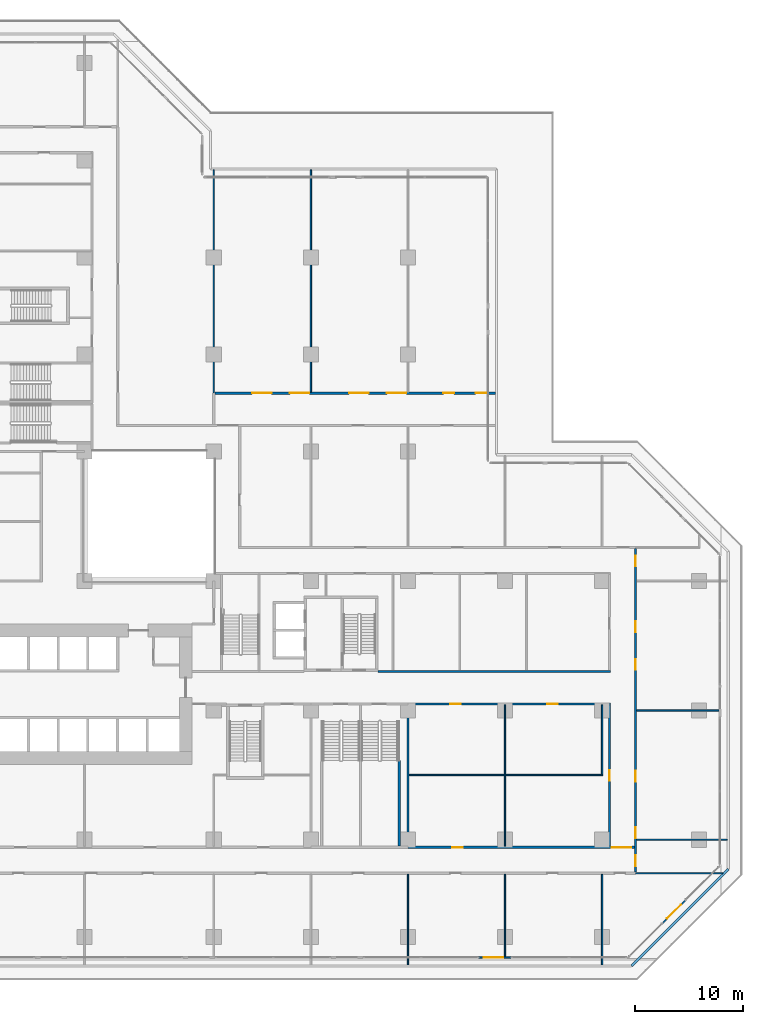
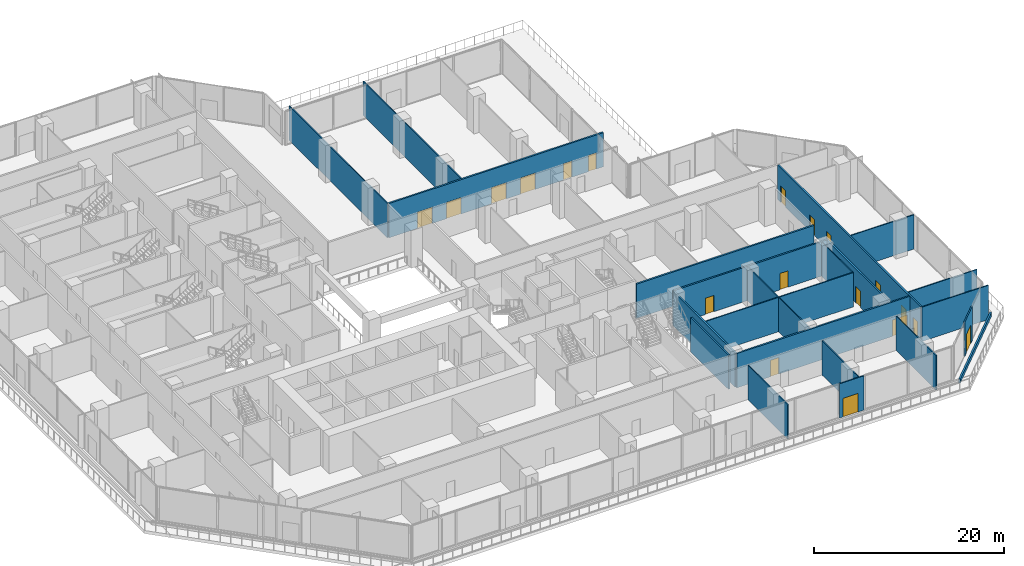
# One storey, part 19 of 31: 23 walls, 19 doors, 19 openings.
"""IFC4 building model written with IfcOpenShell, lengths in metres."""

from ifc_helpers import new_model, si_unit, direction, frame, frame_2d, origin, place, context, subcontext, project, spatial, rectangle, extrude, material, layer, layer_set, type_object, element, fill, save


model = new_model("IFC4")

# Units and contexts
model_context = context("Model", 3, precision=1e-05, world=origin(), true_north=direction((0.0, 1.0)))
body_context = subcontext(model_context, "Body", "Model", "MODEL_VIEW")
ifc_project = project(units=[si_unit("LENGTHUNIT", "METRE"), si_unit("AREAUNIT", "SQUARE_METRE"), si_unit("VOLUMEUNIT", "CUBIC_METRE"), si_unit("PLANEANGLEUNIT", "RADIAN"), si_unit("MASSUNIT", "GRAM", prefix="KILO")], contexts=[model_context])

# Site, building, storey
site_placement = place(None, origin())
site = spatial("IfcSite", under=ifc_project, at=site_placement, CompositionType="ELEMENT")
building_placement = place(site_placement, origin())
building = spatial("IfcBuilding", under=site, at=building_placement, Name="Chenar Terraces", CompositionType="ELEMENT")
storey_placement = place(building_placement, frame((0.0, 0.0, 12.0)))
storey = spatial("IfcBuildingStorey", under=building, at=storey_placement, Name="L02", CompositionType="ELEMENT", Elevation=12.0)

# Walls
ifc_material_1 = material(Name="Gypsum board on steel studs with mineral wool", Category="steel")
ifc_layer_1 = layer(ifc_material_1, 0.125)
ifc_layer_set_1 = layer_set([ifc_layer_1], Name="Gypsum board on steel studs with mineral wool")
wall_type_1 = type_object("IfcWallType", Name="Acoustic partition 125", PredefinedType="PARTITIONING", material=ifc_layer_set_1)
wall_1_placement = place(storey_placement, frame((36.0, 41.39990234375, 0.0), z_axis=(0.0, 0.0, 1.0), x_axis=(0.0, 1.0, 0.0)))
element("IfcWall", 1, at=wall_1_placement, inside=storey, type_object=wall_type_1, Name="Partition L02-084", PredefinedType="PARTITIONING", context=body_context, shape_type="SweptSolid", body=[
    extrude(rectangle(XDim=20.7001953125, YDim=0.125, at=frame_2d((10.35009765625, 0.0))), origin(), (0.0, 0.0, 1.0), 4.39990234375),
])
wall_2_placement = place(storey_placement, frame((45.0, 41.5, 0.0), z_axis=(0.0, 0.0, 1.0), x_axis=(0.0, 1.0, 0.0)))
element("IfcWall", 2, at=wall_2_placement, inside=storey, type_object=wall_type_1, Name="Partition L02-099", PredefinedType="PARTITIONING", context=body_context, shape_type="SweptSolid", body=[
    extrude(rectangle(XDim=20.60009765625, YDim=0.125, at=frame_2d((10.300048828125, 0.0))), origin(), (0.0, 0.0, 1.0), 4.39990234375),
])
wall_3_placement = place(storey_placement, frame((54.0, -11.60009765625, 0.0), z_axis=(0.0, 0.0, 1.0), x_axis=(0.0, 1.0, 0.0)))
element("IfcWall", 3, at=wall_3_placement, inside=storey, type_object=wall_type_1, Name="Partition L02-104", PredefinedType="PARTITIONING", context=body_context, shape_type="SweptSolid", body=[
    extrude(rectangle(XDim=8.400146484375, YDim=0.125, at=frame_2d((4.2001953125, 0.0))), origin(), (0.0, 0.0, 1.0), 4.39990234375),
])
wall_4_placement = place(storey_placement, frame((54.10009765625, 6.0, 0.0), z_axis=(0.0, 0.0, 1.0), x_axis=(1.0, 0.0, 0.0)))
element("IfcWall", 4, at=wall_4_placement, inside=storey, type_object=wall_type_1, Name="Partition L02-110", PredefinedType="PARTITIONING", context=body_context, shape_type="SweptSolid", body=[
    extrude(rectangle(XDim=17.9619140625, YDim=0.125, at=frame_2d((8.98095703125, 0.0))), origin(), (0.0, 0.0, 1.0), 4.39990234375),
])
wall_5_placement = place(storey_placement, frame((63.0, -10.85107421875, 0.0), z_axis=(0.0, 0.0, 1.0), x_axis=(0.0, 1.0, 0.0)))
element("IfcWall", 5, at=wall_5_placement, inside=storey, type_object=wall_type_1, Name="Partition L02-112", PredefinedType="PARTITIONING", context=body_context, shape_type="SweptSolid", body=[
    extrude(rectangle(XDim=7.651123046875, YDim=0.125, at=frame_2d((3.82568359375, 0.0))), origin(), (0.0, 0.0, 1.0), 4.39990234375),
])
wall_6_placement = place(storey_placement, frame((63.0, -0.60009765625, 0.0), z_axis=(0.0, 0.0, 1.0), x_axis=(0.0, 1.0, 0.0)))
element("IfcWall", 6, at=wall_6_placement, inside=storey, type_object=wall_type_1, Name="Partition L02-113", PredefinedType="PARTITIONING", context=body_context, shape_type="SweptSolid", body=[
    extrude(rectangle(XDim=6.5380859375, YDim=0.125, at=frame_2d((3.26904296875, 0.0))), origin(), (0.0, 0.0, 1.0), 4.39990234375),
])
wall_7_placement = place(storey_placement, frame((63.0, 6.06201171875, 0.0), z_axis=(0.0, 0.0, 1.0), x_axis=(0.0, 1.0, 0.0)))
element("IfcWall", 7, at=wall_7_placement, inside=storey, type_object=wall_type_1, Name="Partition L02-114", PredefinedType="PARTITIONING", context=body_context, shape_type="SweptSolid", body=[
    extrude(rectangle(XDim=6.43798828125, YDim=0.125, at=frame_2d((3.218994140625, 0.0))), origin(), (0.0, 0.0, 1.0), 4.39990234375),
])
wall_8_placement = place(storey_placement, frame((72.0, -11.60009765625, 0.0), z_axis=(0.0, 0.0, 1.0), x_axis=(0.0, 1.0, 0.0)))
element("IfcWall", 8, at=wall_8_placement, inside=storey, type_object=wall_type_1, Name="Partition L02-117", PredefinedType="PARTITIONING", context=body_context, shape_type="SweptSolid", body=[
    extrude(rectangle(XDim=8.400146484375, YDim=0.125, at=frame_2d((4.2001953125, 0.0))), origin(), (0.0, 0.0, 1.0), 4.39990234375),
])
wall_9_placement = place(storey_placement, frame((72.0, 6.06201171875, 0.0), z_axis=(0.0, 0.0, 1.0), x_axis=(0.0, 1.0, 0.0)))
element("IfcWall", 9, at=wall_9_placement, inside=storey, type_object=wall_type_1, Name="Partition L02-118", PredefinedType="PARTITIONING", context=body_context, shape_type="SweptSolid", body=[
    extrude(rectangle(XDim=6.43798828125, YDim=0.125, at=frame_2d((3.218994140625, 0.0))), origin(), (0.0, 0.0, 1.0), 4.39990234375),
])
wall_10_placement = place(storey_placement, frame((75.10009765625, -3.10009765625, 0.0), z_axis=(0.0, 0.0, 1.0), x_axis=(1.0, 0.0, 0.0)))
element("IfcWall", 10, at=wall_10_placement, inside=storey, type_object=wall_type_1, Name="Partition L02-122", PredefinedType="PARTITIONING", context=body_context, shape_type="SweptSolid", body=[
    extrude(rectangle(XDim=8.08349609375, YDim=0.125, at=frame_2d((4.041748046875, 0.0))), origin(), (0.0, 0.0, 1.0), 4.39990234375),
])
wall_11_placement = place(storey_placement, frame((75.199951171875, 0.0, 0.0), z_axis=(0.0, 0.0, 1.0), x_axis=(1.0, 0.0, 0.0)))
element("IfcWall", 11, at=wall_11_placement, inside=storey, type_object=wall_type_1, Name="Partition L02-125", PredefinedType="PARTITIONING", context=body_context, shape_type="SweptSolid", body=[
    extrude(rectangle(XDim=8.400146484375, YDim=0.125, at=frame_2d((4.2001953125, 0.0))), origin(), (0.0, 0.0, 1.0), 4.39990234375),
])
wall_12_placement = place(storey_placement, frame((75.199951171875, 12.0, 0.0), z_axis=(0.0, 0.0, 1.0), x_axis=(1.0, 0.0, 0.0)))
element("IfcWall", 12, at=wall_12_placement, inside=storey, type_object=wall_type_1, Name="Partition L02-126", PredefinedType="PARTITIONING", context=body_context, shape_type="SweptSolid", body=[
    extrude(rectangle(XDim=7.651123046875, YDim=0.125, at=frame_2d((3.82568359375, 0.0))), origin(), (0.0, 0.0, 1.0), 4.39990234375),
])

# Wall, openings, doors
ifc_material_2 = material(Name="Gypsum board on steel studs with fire boards", Category="steel")
ifc_layer_2 = layer(ifc_material_2, 0.199951171875)
ifc_layer_set_2 = layer_set([ifc_layer_2], Name="Gypsum board on steel studs with fire boards")
wall_type_2 = type_object("IfcWallType", Name="Corridor wall 200", PredefinedType="PARTITIONING", material=ifc_layer_set_2)
wall_13_placement = place(storey_placement, frame((36.10009765625, 41.39990234375, 0.0), z_axis=(0.0, 0.0, 1.0), x_axis=(1.0, 0.0, 0.0)))
wall_13 = element("IfcWall", 13, at=wall_13_placement, inside=storey, type_object=wall_type_2, Name="Partition L02-086", PredefinedType="PARTITIONING", context=body_context, shape_type="SweptSolid", body=[
    extrude(rectangle(XDim=26.0, YDim=0.199951171875, at=frame_2d((13.0, 0.0))), origin(), (0.0, 0.0, 1.0), 4.39990234375),
])
opening_1_placement = place(wall_13_placement, frame((3.449951171875, 0.0, 0.0)))
opening_1 = element("IfcOpeningElement", 14, at=opening_1_placement, cuts=wall_13, Name="Opening DL02-18", PredefinedType="OPENING", context=body_context, shape_type="SweptSolid", body=[
    extrude(rectangle(XDim=1.800048828125, YDim=2.10009765625, at=frame_2d((0.89990234375, 1.050048828125))), frame((0.0, 0.10986328125, 0.0), z_axis=(0.0, -1.0, 0.0), x_axis=(1.0, 0.0, 0.0)), (0.0, 0.0, 1.0), 0.219970703125),
])
opening_2_placement = place(wall_13_placement, frame((6.949951171875, 0.0, 0.0)))
opening_2 = element("IfcOpeningElement", 15, at=opening_2_placement, cuts=wall_13, Name="Opening DL02-19", PredefinedType="OPENING", context=body_context, shape_type="SweptSolid", body=[
    extrude(rectangle(XDim=1.800048828125, YDim=2.10009765625, at=frame_2d((0.89990234375, 1.050048828125))), frame((0.0, 0.10986328125, 0.0), z_axis=(0.0, -1.0, 0.0), x_axis=(1.0, 0.0, 0.0)), (0.0, 0.0, 1.0), 0.219970703125),
])
opening_3_placement = place(wall_13_placement, frame((12.449951171875, 0.0, 0.0)))
opening_3 = element("IfcOpeningElement", 16, at=opening_3_placement, cuts=wall_13, Name="Opening DL02-20", PredefinedType="OPENING", context=body_context, shape_type="SweptSolid", body=[
    extrude(rectangle(XDim=1.800048828125, YDim=2.10009765625, at=frame_2d((0.89990234375, 1.050048828125))), frame((0.0, 0.10986328125, 0.0), z_axis=(0.0, -1.0, 0.0), x_axis=(1.0, 0.0, 0.0)), (0.0, 0.0, 1.0), 0.219970703125),
])
opening_4_placement = place(wall_13_placement, frame((15.949951171875, 0.0, 0.0)))
opening_4 = element("IfcOpeningElement", 17, at=opening_4_placement, cuts=wall_13, Name="Opening DL02-21", PredefinedType="OPENING", context=body_context, shape_type="SweptSolid", body=[
    extrude(rectangle(XDim=1.800048828125, YDim=2.10009765625, at=frame_2d((0.89990234375, 1.050048828125))), frame((0.0, 0.10986328125, 0.0), z_axis=(0.0, -1.0, 0.0), x_axis=(1.0, 0.0, 0.0)), (0.0, 0.0, 1.0), 0.219970703125),
])
opening_5_placement = place(wall_13_placement, frame((21.175048828125, 0.0, 0.0)))
opening_5 = element("IfcOpeningElement", 18, at=opening_5_placement, cuts=wall_13, Name="Opening DL02-22", PredefinedType="OPENING", context=body_context, shape_type="SweptSolid", body=[
    extrude(rectangle(XDim=1.0, YDim=2.10009765625, at=frame_2d((0.5, 1.050048828125))), frame((0.0, 0.10986328125, 0.0), z_axis=(0.0, -1.0, 0.0), x_axis=(1.0, 0.0, 0.0)), (0.0, 0.0, 1.0), 0.219970703125),
])
opening_6_placement = place(wall_13_placement, frame((24.175048828125, 0.0, 0.0)))
opening_6 = element("IfcOpeningElement", 19, at=opening_6_placement, cuts=wall_13, Name="Opening DL02-23", PredefinedType="OPENING", context=body_context, shape_type="SweptSolid", body=[
    extrude(rectangle(XDim=1.0, YDim=2.10009765625, at=frame_2d((0.5, 1.050048828125))), frame((0.0, 0.10986328125, 0.0), z_axis=(0.0, -1.0, 0.0), x_axis=(1.0, 0.0, 0.0)), (0.0, 0.0, 1.0), 0.219970703125),
])
ifc_material_3 = material(Name="Steel-framed fire-resisting door leaf", Category="steel")
door_type_1 = type_object("IfcDoorType", Name="Fire door FD60 1000 x 2100", OperationType="SINGLE_SWING_LEFT", PredefinedType="DOOR", material=ifc_material_3)
door_1_placement = place(opening_5_placement, origin())
door_1 = element("IfcDoor", 20, at=door_1_placement, inside=storey, type_object=door_type_1, Name="Door DL02-22", OperationType="SINGLE_SWING_RIGHT", OverallHeight=2.10009765625, OverallWidth=1.0, PredefinedType="DOOR", context=body_context, shape_type="SweptSolid", body=[
    extrude(rectangle(XDim=1.0, YDim=2.10009765625, at=frame_2d((0.5, 1.050048828125))), frame((0.0, 0.02490234375, 0.0), z_axis=(0.0, -1.0, 0.0), x_axis=(1.0, 0.0, 0.0)), (0.0, 0.0, 1.0), 0.050048828125),
])
fill(opening_5, door_1)
door_2_placement = place(opening_6_placement, origin())
door_2 = element("IfcDoor", 21, at=door_2_placement, inside=storey, type_object=door_type_1, Name="Door DL02-23", OperationType="SINGLE_SWING_RIGHT", OverallHeight=2.10009765625, OverallWidth=1.0, PredefinedType="DOOR", context=body_context, shape_type="SweptSolid", body=[
    extrude(rectangle(XDim=1.0, YDim=2.10009765625, at=frame_2d((0.5, 1.050048828125))), frame((0.0, 0.02490234375, 0.0), z_axis=(0.0, -1.0, 0.0), x_axis=(1.0, 0.0, 0.0)), (0.0, 0.0, 1.0), 0.050048828125),
])
fill(opening_6, door_2)
ifc_material_4 = material(Name="Steel-framed fire-resisting door leaf", Category="steel")
door_type_2 = type_object("IfcDoorType", Name="Fire double door FD60 1800 x 2100", OperationType="DOUBLE_DOOR_SINGLE_SWING", PredefinedType="DOOR", material=ifc_material_4)
door_3_placement = place(opening_1_placement, origin())
door_3 = element("IfcDoor", 22, at=door_3_placement, inside=storey, type_object=door_type_2, Name="Door DL02-18", OperationType="DOUBLE_DOOR_SINGLE_SWING", OverallHeight=2.10009765625, OverallWidth=1.800048828125, PredefinedType="DOOR", context=body_context, shape_type="SweptSolid", body=[
    extrude(rectangle(XDim=1.800048828125, YDim=2.10009765625, at=frame_2d((0.89990234375, 1.050048828125))), frame((0.0, 0.02490234375, 0.0), z_axis=(0.0, -1.0, 0.0), x_axis=(1.0, 0.0, 0.0)), (0.0, 0.0, 1.0), 0.050048828125),
])
fill(opening_1, door_3)
door_4_placement = place(opening_2_placement, origin())
door_4 = element("IfcDoor", 23, at=door_4_placement, inside=storey, type_object=door_type_2, Name="Door DL02-19", OperationType="DOUBLE_DOOR_SINGLE_SWING", OverallHeight=2.10009765625, OverallWidth=1.800048828125, PredefinedType="DOOR", context=body_context, shape_type="SweptSolid", body=[
    extrude(rectangle(XDim=1.800048828125, YDim=2.10009765625, at=frame_2d((0.89990234375, 1.050048828125))), frame((0.0, 0.02490234375, 0.0), z_axis=(0.0, -1.0, 0.0), x_axis=(1.0, 0.0, 0.0)), (0.0, 0.0, 1.0), 0.050048828125),
])
fill(opening_2, door_4)
door_5_placement = place(opening_3_placement, origin())
door_5 = element("IfcDoor", 24, at=door_5_placement, inside=storey, type_object=door_type_2, Name="Door DL02-20", OperationType="DOUBLE_DOOR_SINGLE_SWING", OverallHeight=2.10009765625, OverallWidth=1.800048828125, PredefinedType="DOOR", context=body_context, shape_type="SweptSolid", body=[
    extrude(rectangle(XDim=1.800048828125, YDim=2.10009765625, at=frame_2d((0.89990234375, 1.050048828125))), frame((0.0, 0.02490234375, 0.0), z_axis=(0.0, -1.0, 0.0), x_axis=(1.0, 0.0, 0.0)), (0.0, 0.0, 1.0), 0.050048828125),
])
fill(opening_3, door_5)
door_6_placement = place(opening_4_placement, origin())
door_6 = element("IfcDoor", 25, at=door_6_placement, inside=storey, type_object=door_type_2, Name="Door DL02-21", OperationType="DOUBLE_DOOR_SINGLE_SWING", OverallHeight=2.10009765625, OverallWidth=1.800048828125, PredefinedType="DOOR", context=body_context, shape_type="SweptSolid", body=[
    extrude(rectangle(XDim=1.800048828125, YDim=2.10009765625, at=frame_2d((0.89990234375, 1.050048828125))), frame((0.0, 0.02490234375, 0.0), z_axis=(0.0, -1.0, 0.0), x_axis=(1.0, 0.0, 0.0)), (0.0, 0.0, 1.0), 0.050048828125),
])
fill(opening_4, door_6)

# Wall
wall_14_placement = place(storey_placement, frame((51.22509765625, 15.60009765625, 0.0), z_axis=(0.0, 0.0, 1.0), x_axis=(1.0, 0.0, 0.0)))
element("IfcWall", 26, at=wall_14_placement, inside=storey, type_object=wall_type_2, Name="Partition L02-102", PredefinedType="PARTITIONING", context=body_context, shape_type="SweptSolid", body=[
    extrude(rectangle(XDim=21.574951171875, YDim=0.199951171875, at=frame_2d((10.78759765625, 0.0))), origin(), (0.0, 0.0, 1.0), 4.39990234375),
])

# Wall, openings, doors
wall_15_placement = place(storey_placement, frame((54.0, -0.699951171875, 0.0), z_axis=(0.0, 0.0, 1.0), x_axis=(1.0, 0.0, 0.0)))
wall_15 = element("IfcWall", 27, at=wall_15_placement, inside=storey, type_object=wall_type_2, Name="Partition L02-105", PredefinedType="PARTITIONING", context=body_context, shape_type="SweptSolid", body=[
    extrude(rectangle(XDim=21.0, YDim=0.199951171875, at=frame_2d((10.5, 0.0))), origin(), (0.0, 0.0, 1.0), 4.39990234375),
])
opening_7_placement = place(wall_15_placement, frame((4.10009765625, 0.0, 0.0)))
opening_7 = element("IfcOpeningElement", 28, at=opening_7_placement, cuts=wall_15, Name="Opening DL02-10", PredefinedType="OPENING", context=body_context, shape_type="SweptSolid", body=[
    extrude(rectangle(XDim=1.0, YDim=2.10009765625, at=frame_2d((0.5, 1.050048828125))), frame((0.0, 0.10986328125, 0.0), z_axis=(0.0, -1.0, 0.0), x_axis=(1.0, 0.0, 0.0)), (0.0, 0.0, 1.0), 0.219970703125),
])
opening_8_placement = place(wall_15_placement, frame((18.89990234375, 0.0, 0.0)))
opening_8 = element("IfcOpeningElement", 29, at=opening_8_placement, cuts=wall_15, Name="Opening DL02-39", PredefinedType="OPENING", context=body_context, shape_type="SweptSolid", body=[
    extrude(rectangle(XDim=1.800048828125, YDim=2.10009765625, at=frame_2d((0.89990234375, 1.050048828125))), frame((0.0, 0.10986328125, 0.0), z_axis=(0.0, -1.0, 0.0), x_axis=(1.0, 0.0, 0.0)), (0.0, 0.0, 1.0), 0.219970703125),
])
door_7_placement = place(opening_7_placement, origin())
door_7 = element("IfcDoor", 30, at=door_7_placement, inside=storey, type_object=door_type_1, Name="Door DL02-10", OperationType="SINGLE_SWING_LEFT", OverallHeight=2.10009765625, OverallWidth=1.0, PredefinedType="DOOR", context=body_context, shape_type="SweptSolid", body=[
    extrude(rectangle(XDim=1.0, YDim=2.10009765625, at=frame_2d((0.5, 1.050048828125))), frame((0.0, 0.02490234375, 0.0), z_axis=(0.0, -1.0, 0.0), x_axis=(1.0, 0.0, 0.0)), (0.0, 0.0, 1.0), 0.050048828125),
])
fill(opening_7, door_7)
door_8_placement = place(opening_8_placement, frame((1.800048828125, 0.0, 0.0), z_axis=(0.0, 0.0, 1.0), x_axis=(-1.0, 0.0, 0.0)))
door_8 = element("IfcDoor", 31, at=door_8_placement, inside=storey, type_object=door_type_2, Name="Door DL02-39", OperationType="DOUBLE_DOOR_SINGLE_SWING", OverallHeight=2.10009765625, OverallWidth=1.800048828125, PredefinedType="DOOR", context=body_context, shape_type="SweptSolid", body=[
    extrude(rectangle(XDim=1.800048828125, YDim=2.10009765625, at=frame_2d((0.89990234375, 1.050048828125))), frame((0.0, 0.02490234375, 0.0), z_axis=(0.0, -1.0, 0.0), x_axis=(1.0, 0.0, 0.0)), (0.0, 0.0, 1.0), 0.050048828125),
])
fill(opening_8, door_8)

wall_16_placement = place(storey_placement, frame((54.0, 12.60009765625, 0.0), z_axis=(0.0, 0.0, 1.0), x_axis=(1.0, 0.0, 0.0)))
wall_16 = element("IfcWall", 32, at=wall_16_placement, inside=storey, type_object=wall_type_2, Name="Partition L02-107", PredefinedType="PARTITIONING", context=body_context, shape_type="SweptSolid", body=[
    extrude(rectangle(XDim=18.800048828125, YDim=0.199951171875, at=frame_2d((9.39990234375, 0.0))), origin(), (0.0, 0.0, 1.0), 4.39990234375),
])
opening_9_placement = place(wall_16_placement, frame((3.89990234375, 0.0, 0.0)))
opening_9 = element("IfcOpeningElement", 33, at=opening_9_placement, cuts=wall_16, Name="Opening DL02-2", PredefinedType="OPENING", context=body_context, shape_type="SweptSolid", body=[
    extrude(rectangle(XDim=1.0, YDim=2.10009765625, at=frame_2d((0.5, 1.050048828125))), frame((0.0, 0.10986328125, 0.0), z_axis=(0.0, -1.0, 0.0), x_axis=(1.0, 0.0, 0.0)), (0.0, 0.0, 1.0), 0.219970703125),
])
opening_10_placement = place(wall_16_placement, frame((12.89990234375, 0.0, 0.0)))
opening_10 = element("IfcOpeningElement", 34, at=opening_10_placement, cuts=wall_16, Name="Opening DL02-3", PredefinedType="OPENING", context=body_context, shape_type="SweptSolid", body=[
    extrude(rectangle(XDim=1.0, YDim=2.10009765625, at=frame_2d((0.5, 1.050048828125))), frame((0.0, 0.10986328125, 0.0), z_axis=(0.0, -1.0, 0.0), x_axis=(1.0, 0.0, 0.0)), (0.0, 0.0, 1.0), 0.219970703125),
])
door_9_placement = place(opening_9_placement, frame((1.0, 0.0, 0.0), z_axis=(0.0, 0.0, 1.0), x_axis=(-1.0, 0.0, 0.0)))
door_9 = element("IfcDoor", 35, at=door_9_placement, inside=storey, type_object=door_type_1, Name="Door DL02-2", OperationType="SINGLE_SWING_RIGHT", OverallHeight=2.10009765625, OverallWidth=1.0, PredefinedType="DOOR", context=body_context, shape_type="SweptSolid", body=[
    extrude(rectangle(XDim=1.0, YDim=2.10009765625, at=frame_2d((0.5, 1.050048828125))), frame((0.0, 0.02490234375, 0.0), z_axis=(0.0, -1.0, 0.0), x_axis=(1.0, 0.0, 0.0)), (0.0, 0.0, 1.0), 0.050048828125),
])
fill(opening_9, door_9)
door_10_placement = place(opening_10_placement, frame((1.0, 0.0, 0.0), z_axis=(0.0, 0.0, 1.0), x_axis=(-1.0, 0.0, 0.0)))
door_10 = element("IfcDoor", 36, at=door_10_placement, inside=storey, type_object=door_type_1, Name="Door DL02-3", OperationType="SINGLE_SWING_RIGHT", OverallHeight=2.10009765625, OverallWidth=1.0, PredefinedType="DOOR", context=body_context, shape_type="SweptSolid", body=[
    extrude(rectangle(XDim=1.0, YDim=2.10009765625, at=frame_2d((0.5, 1.050048828125))), frame((0.0, 0.02490234375, 0.0), z_axis=(0.0, -1.0, 0.0), x_axis=(1.0, 0.0, 0.0)), (0.0, 0.0, 1.0), 0.050048828125),
])
fill(opening_10, door_10)

# Wall, opening, door
wall_17_placement = place(storey_placement, frame((72.699951171875, -0.60009765625, 0.0), z_axis=(0.0, 0.0, 1.0), x_axis=(0.0, 1.0, 0.0)))
wall_17 = element("IfcWall", 37, at=wall_17_placement, inside=storey, type_object=wall_type_2, Name="Partition L02-120", PredefinedType="PARTITIONING", context=body_context, shape_type="SweptSolid", body=[
    extrude(rectangle(XDim=13.10009765625, YDim=0.199951171875, at=frame_2d((6.550048828125, 0.0))), origin(), (0.0, 0.0, 1.0), 4.39990234375),
])
opening_11_placement = place(wall_17_placement, frame((6.050048828125, 0.0, 0.0)))
opening_11 = element("IfcOpeningElement", 38, at=opening_11_placement, cuts=wall_17, Name="Opening DL02-11", PredefinedType="OPENING", context=body_context, shape_type="SweptSolid", body=[
    extrude(rectangle(XDim=1.0, YDim=2.10009765625, at=frame_2d((0.5, 1.050048828125))), frame((0.0, 0.10986328125, 0.0), z_axis=(0.0, -1.0, 0.0), x_axis=(1.0, 0.0, 0.0)), (0.0, 0.0, 1.0), 0.219970703125),
])
door_11_placement = place(opening_11_placement, frame((1.0, 0.0, 0.0), z_axis=(0.0, 0.0, 1.0), x_axis=(-1.0, 0.0, 0.0)))
door_11 = element("IfcDoor", 39, at=door_11_placement, inside=storey, type_object=door_type_1, Name="Door DL02-11", OperationType="SINGLE_SWING_LEFT", OverallHeight=2.10009765625, OverallWidth=1.0, PredefinedType="DOOR", context=body_context, shape_type="SweptSolid", body=[
    extrude(rectangle(XDim=1.0, YDim=2.10009765625, at=frame_2d((0.5, 1.050048828125))), frame((0.0, 0.02490234375, 0.0), z_axis=(0.0, -1.0, 0.0), x_axis=(1.0, 0.0, 0.0)), (0.0, 0.0, 1.0), 0.050048828125),
])
fill(opening_11, door_11)

# Wall, openings, doors
wall_18_placement = place(storey_placement, frame((75.10009765625, -3.0, 0.0), z_axis=(0.0, 0.0, 1.0), x_axis=(0.0, 1.0, 0.0)))
wall_18 = element("IfcWall", 40, at=wall_18_placement, inside=storey, type_object=wall_type_2, Name="Partition L02-123", PredefinedType="PARTITIONING", context=body_context, shape_type="SweptSolid", body=[
    extrude(rectangle(XDim=30.0, YDim=0.199951171875, at=frame_2d((15.0, 0.0))), origin(), (0.0, 0.0, 1.0), 4.39990234375),
])
opening_12_placement = place(wall_18_placement, frame((0.550048828125, 0.0, 0.0)))
opening_12 = element("IfcOpeningElement", 41, at=opening_12_placement, cuts=wall_18, Name="Opening DL02-48", PredefinedType="OPENING", context=body_context, shape_type="SweptSolid", body=[
    extrude(rectangle(XDim=1.0, YDim=2.10009765625, at=frame_2d((0.5, 1.050048828125))), frame((0.0, 0.10986328125, 0.0), z_axis=(0.0, -1.0, 0.0), x_axis=(1.0, 0.0, 0.0)), (0.0, 0.0, 1.0), 0.219970703125),
])
opening_13_placement = place(wall_18_placement, frame((8.39990234375, 0.0, 0.0)))
opening_13 = element("IfcOpeningElement", 42, at=opening_13_placement, cuts=wall_18, Name="Opening DL02-49", PredefinedType="OPENING", context=body_context, shape_type="SweptSolid", body=[
    extrude(rectangle(XDim=1.0, YDim=2.10009765625, at=frame_2d((0.5, 1.050048828125))), frame((0.0, 0.10986328125, 0.0), z_axis=(0.0, -1.0, 0.0), x_axis=(1.0, 0.0, 0.0)), (0.0, 0.0, 1.0), 0.219970703125),
])
opening_14_placement = place(wall_18_placement, frame((3.14990234375, 0.0, 0.0)))
opening_14 = element("IfcOpeningElement", 43, at=opening_14_placement, cuts=wall_18, Name="Opening DL02-50", PredefinedType="OPENING", context=body_context, shape_type="SweptSolid", body=[
    extrude(rectangle(XDim=1.0, YDim=2.10009765625, at=frame_2d((0.5, 1.050048828125))), frame((0.0, 0.10986328125, 0.0), z_axis=(0.0, -1.0, 0.0), x_axis=(1.0, 0.0, 0.0)), (0.0, 0.0, 1.0), 0.219970703125),
])
opening_15_placement = place(wall_18_placement, frame((22.25, 0.0, 0.0)))
opening_15 = element("IfcOpeningElement", 44, at=opening_15_placement, cuts=wall_18, Name="Opening DL02-51", PredefinedType="OPENING", context=body_context, shape_type="SweptSolid", body=[
    extrude(rectangle(XDim=1.0, YDim=2.10009765625, at=frame_2d((0.5, 1.050048828125))), frame((0.0, 0.10986328125, 0.0), z_axis=(0.0, -1.0, 0.0), x_axis=(1.0, 0.0, 0.0)), (0.0, 0.0, 1.0), 0.219970703125),
])
opening_16_placement = place(wall_18_placement, frame((18.75, 0.0, 0.0)))
opening_16 = element("IfcOpeningElement", 45, at=opening_16_placement, cuts=wall_18, Name="Opening DL02-52", PredefinedType="OPENING", context=body_context, shape_type="SweptSolid", body=[
    extrude(rectangle(XDim=1.0, YDim=2.10009765625, at=frame_2d((0.5, 1.050048828125))), frame((0.0, 0.10986328125, 0.0), z_axis=(0.0, -1.0, 0.0), x_axis=(1.0, 0.0, 0.0)), (0.0, 0.0, 1.0), 0.219970703125),
])
opening_17_placement = place(wall_18_placement, frame((28.35009765625, 0.0, 0.0)))
opening_17 = element("IfcOpeningElement", 46, at=opening_17_placement, cuts=wall_18, Name="Opening DL02-53", PredefinedType="OPENING", context=body_context, shape_type="SweptSolid", body=[
    extrude(rectangle(XDim=1.0, YDim=2.10009765625, at=frame_2d((0.5, 1.050048828125))), frame((0.0, 0.10986328125, 0.0), z_axis=(0.0, -1.0, 0.0), x_axis=(1.0, 0.0, 0.0)), (0.0, 0.0, 1.0), 0.219970703125),
])
door_12_placement = place(opening_12_placement, frame((1.0, 0.0, 0.0), z_axis=(0.0, 0.0, 1.0), x_axis=(-1.0, 0.0, 0.0)))
door_12 = element("IfcDoor", 47, at=door_12_placement, inside=storey, type_object=door_type_1, Name="Door DL02-48", OperationType="SINGLE_SWING_RIGHT", OverallHeight=2.10009765625, OverallWidth=1.0, PredefinedType="DOOR", context=body_context, shape_type="SweptSolid", body=[
    extrude(rectangle(XDim=1.0, YDim=2.10009765625, at=frame_2d((0.5, 1.050048828125))), frame((0.0, 0.02490234375, 0.0), z_axis=(0.0, -1.0, 0.0), x_axis=(1.0, 0.0, 0.0)), (0.0, 0.0, 1.0), 0.050048828125),
])
fill(opening_12, door_12)
door_13_placement = place(opening_13_placement, frame((1.0, 0.0, 0.0), z_axis=(0.0, 0.0, 1.0), x_axis=(-1.0, 0.0, 0.0)))
door_13 = element("IfcDoor", 48, at=door_13_placement, inside=storey, type_object=door_type_1, Name="Door DL02-49", OperationType="SINGLE_SWING_LEFT", OverallHeight=2.10009765625, OverallWidth=1.0, PredefinedType="DOOR", context=body_context, shape_type="SweptSolid", body=[
    extrude(rectangle(XDim=1.0, YDim=2.10009765625, at=frame_2d((0.5, 1.050048828125))), frame((0.0, 0.02490234375, 0.0), z_axis=(0.0, -1.0, 0.0), x_axis=(1.0, 0.0, 0.0)), (0.0, 0.0, 1.0), 0.050048828125),
])
fill(opening_13, door_13)
door_14_placement = place(opening_14_placement, frame((1.0, 0.0, 0.0), z_axis=(0.0, 0.0, 1.0), x_axis=(-1.0, 0.0, 0.0)))
door_14 = element("IfcDoor", 49, at=door_14_placement, inside=storey, type_object=door_type_1, Name="Door DL02-50", OperationType="SINGLE_SWING_RIGHT", OverallHeight=2.10009765625, OverallWidth=1.0, PredefinedType="DOOR", context=body_context, shape_type="SweptSolid", body=[
    extrude(rectangle(XDim=1.0, YDim=2.10009765625, at=frame_2d((0.5, 1.050048828125))), frame((0.0, 0.02490234375, 0.0), z_axis=(0.0, -1.0, 0.0), x_axis=(1.0, 0.0, 0.0)), (0.0, 0.0, 1.0), 0.050048828125),
])
fill(opening_14, door_14)
door_15_placement = place(opening_15_placement, frame((1.0, 0.0, 0.0), z_axis=(0.0, 0.0, 1.0), x_axis=(-1.0, 0.0, 0.0)))
door_15 = element("IfcDoor", 50, at=door_15_placement, inside=storey, type_object=door_type_1, Name="Door DL02-51", OperationType="SINGLE_SWING_LEFT", OverallHeight=2.10009765625, OverallWidth=1.0, PredefinedType="DOOR", context=body_context, shape_type="SweptSolid", body=[
    extrude(rectangle(XDim=1.0, YDim=2.10009765625, at=frame_2d((0.5, 1.050048828125))), frame((0.0, 0.02490234375, 0.0), z_axis=(0.0, -1.0, 0.0), x_axis=(1.0, 0.0, 0.0)), (0.0, 0.0, 1.0), 0.050048828125),
])
fill(opening_15, door_15)
door_16_placement = place(opening_16_placement, frame((1.0, 0.0, 0.0), z_axis=(0.0, 0.0, 1.0), x_axis=(-1.0, 0.0, 0.0)))
door_16 = element("IfcDoor", 51, at=door_16_placement, inside=storey, type_object=door_type_1, Name="Door DL02-52", OperationType="SINGLE_SWING_LEFT", OverallHeight=2.10009765625, OverallWidth=1.0, PredefinedType="DOOR", context=body_context, shape_type="SweptSolid", body=[
    extrude(rectangle(XDim=1.0, YDim=2.10009765625, at=frame_2d((0.5, 1.050048828125))), frame((0.0, 0.02490234375, 0.0), z_axis=(0.0, -1.0, 0.0), x_axis=(1.0, 0.0, 0.0)), (0.0, 0.0, 1.0), 0.050048828125),
])
fill(opening_16, door_16)
door_17_placement = place(opening_17_placement, frame((1.0, 0.0, 0.0), z_axis=(0.0, 0.0, 1.0), x_axis=(-1.0, 0.0, 0.0)))
door_17 = element("IfcDoor", 52, at=door_17_placement, inside=storey, type_object=door_type_1, Name="Door DL02-53", OperationType="SINGLE_SWING_LEFT", OverallHeight=2.10009765625, OverallWidth=1.0, PredefinedType="DOOR", context=body_context, shape_type="SweptSolid", body=[
    extrude(rectangle(XDim=1.0, YDim=2.10009765625, at=frame_2d((0.5, 1.050048828125))), frame((0.0, 0.02490234375, 0.0), z_axis=(0.0, -1.0, 0.0), x_axis=(1.0, 0.0, 0.0)), (0.0, 0.0, 1.0), 0.050048828125),
])
fill(opening_17, door_17)

# Wall, opening, door
ifc_material_5 = material(Name="Aluminium framed glazing", Category="aluminium")
ifc_layer_3 = layer(ifc_material_5, 0.14990234375)
ifc_layer_set_3 = layer_set([ifc_layer_3], Name="Aluminium framed glazing")
wall_type_3 = type_object("IfcWallType", Name="Podium glazed wall 150", PredefinedType="SOLIDWALL", material=ifc_layer_set_3)
wall_19_placement = place(storey_placement, frame((60.571044921875, -10.925048828125, 0.0), z_axis=(0.0, 0.0, 1.0), x_axis=(1.0, 0.0, 0.0)))
wall_19 = element("IfcWall", 53, at=wall_19_placement, inside=storey, type_object=wall_type_3, Name="Podium glazed wall", PredefinedType="SOLIDWALL", context=body_context, shape_type="SweptSolid", body=[
    extrude(rectangle(XDim=3.0, YDim=0.14990234375, at=frame_2d((1.5, 0.0))), origin(), (0.0, 0.0, 1.0), 4.39990234375),
])
opening_18_placement = place(wall_19_placement, frame((0.449951171875, 0.0, 0.0)))
opening_18 = element("IfcOpeningElement", 54, at=opening_18_placement, cuts=wall_19, Name="Opening DL02-T4", PredefinedType="OPENING", context=body_context, shape_type="SweptSolid", body=[
    extrude(rectangle(XDim=1.800048828125, YDim=2.39990234375, at=frame_2d((0.89990234375, 1.199951171875))), frame((0.0, 0.0849609375, 0.0), z_axis=(0.0, -1.0, 0.0), x_axis=(1.0, 0.0, 0.0)), (0.0, 0.0, 1.0), 0.169921875),
])
ifc_material_6 = material(Name="Low emissivity double glazing, aluminium frame", Category="aluminium")
door_type_3 = type_object("IfcDoorType", Name="Terrace glazed double door 1800 x 2400", OperationType="DOUBLE_DOOR_SINGLE_SWING", PredefinedType="DOOR", material=ifc_material_6)
door_18_placement = place(opening_18_placement, origin())
door_18 = element("IfcDoor", 55, at=door_18_placement, inside=storey, type_object=door_type_3, Name="Terrace glazed door", OperationType="DOUBLE_DOOR_SINGLE_SWING", OverallHeight=2.39990234375, OverallWidth=1.800048828125, PredefinedType="DOOR", context=body_context, shape_type="SweptSolid", body=[
    extrude(rectangle(XDim=1.800048828125, YDim=2.39990234375, at=frame_2d((0.89990234375, 1.199951171875))), frame((0.0, 0.02490234375, 0.0), z_axis=(0.0, -1.0, 0.0), x_axis=(1.0, 0.0, 0.0)), (0.0, 0.0, 1.0), 0.050048828125),
])
fill(opening_18, door_18)

wall_20_placement = place(storey_placement, frame((77.603759765625, -7.72509765625, 0.0), z_axis=(0.0, 0.0, 1.0), x_axis=(0.707106781187, 0.707106781187, 0.0)))
wall_20 = element("IfcWall", 56, at=wall_20_placement, inside=storey, type_object=wall_type_3, Name="Podium glazed wall", PredefinedType="SOLIDWALL", context=body_context, shape_type="SweptSolid", body=[
    extrude(rectangle(XDim=3.0, YDim=0.14990234375, at=frame_2d((1.5, 0.0))), origin(), (0.0, 0.0, 1.0), 4.39990234375),
])
opening_19_placement = place(wall_20_placement, frame((0.60009765625, 0.0, 0.0)))
opening_19 = element("IfcOpeningElement", 57, at=opening_19_placement, cuts=wall_20, Name="Opening DL02-T1", PredefinedType="OPENING", context=body_context, shape_type="SweptSolid", body=[
    extrude(rectangle(XDim=1.800048828125, YDim=2.39990234375, at=frame_2d((0.89990234375, 1.199951171875))), frame((0.0, 0.0849609375, 0.0), z_axis=(0.0, -1.0, 0.0), x_axis=(1.0, 0.0, 0.0)), (0.0, 0.0, 1.0), 0.169921875),
])
door_19_placement = place(opening_19_placement, origin())
door_19 = element("IfcDoor", 58, at=door_19_placement, inside=storey, type_object=door_type_3, Name="Terrace glazed door", OperationType="DOUBLE_DOOR_SINGLE_SWING", OverallHeight=2.39990234375, OverallWidth=1.800048828125, PredefinedType="DOOR", context=body_context, shape_type="SweptSolid", body=[
    extrude(rectangle(XDim=1.800048828125, YDim=2.39990234375, at=frame_2d((0.89990234375, 1.199951171875))), frame((0.0, 0.02490234375, 0.0), z_axis=(0.0, -1.0, 0.0), x_axis=(1.0, 0.0, 0.0)), (0.0, 0.0, 1.0), 0.050048828125),
])
fill(opening_19, door_19)

# Walls
ifc_material_7 = material(Name="Reinforced concrete C40/50", Category="concrete")
ifc_layer_4 = layer(ifc_material_7, 0.199951171875)
ifc_layer_set_4 = layer_set([ifc_layer_4], Name="Reinforced concrete C40/50")
wall_type_4 = type_object("IfcWallType", Name="Stair enclosure wall 200 concrete", PredefinedType="SOLIDWALL", material=ifc_layer_set_4)
wall_21_placement = place(storey_placement, frame((54.0, -0.60009765625, 0.0), z_axis=(0.0, 0.0, 1.0), x_axis=(0.0, 1.0, 0.0)))
element("IfcWall", 59, at=wall_21_placement, inside=storey, type_object=wall_type_4, Name="Stair enclosure wall L02-106", PredefinedType="SOLIDWALL", context=body_context, shape_type="SweptSolid", body=[
    extrude(rectangle(XDim=13.10009765625, YDim=0.199951171875, at=frame_2d((6.550048828125, 0.0))), origin(), (0.0, 0.0, 1.0), 4.39990234375),
])
wall_22_placement = place(storey_placement, frame((53.199951171875, -0.60009765625, 0.0), z_axis=(0.0, 0.0, 1.0), x_axis=(0.0, 1.0, 0.0)))
element("IfcWall", 60, at=wall_22_placement, inside=storey, type_object=wall_type_4, Name="Stair enclosure wall L02-PS2-015", PredefinedType="SOLIDWALL", context=body_context, shape_type="SweptSolid", body=[
    extrude(rectangle(XDim=7.945068359375, YDim=0.199951171875, at=frame_2d((3.97265625, 0.0))), origin(), (0.0, 0.0, 1.0), 4.39990234375),
])
ifc_material_8 = material(Name="Terracotta cladding on insulated backing", Category="masonry")
ifc_layer_5 = layer(ifc_material_8, 0.199951171875)
ifc_layer_set_5 = layer_set([ifc_layer_5], Name="Terracotta cladding on insulated backing")
wall_type_5 = type_object("IfcWallType", Name="Terrace parapet upstand 200", PredefinedType="PARAPET", material=ifc_layer_set_5)
wall_23_placement = place(storey_placement, frame((83.699951171875, -2.72509765625, 0.0), z_axis=(0.0, 0.0, 1.0), x_axis=(-0.707106781187, -0.707106781187, 0.0)))
element("IfcWall", 61, at=wall_23_placement, inside=storey, type_object=wall_type_5, Name="Terrace parapet", PredefinedType="PARAPET", context=body_context, shape_type="SweptSolid", body=[
    extrude(rectangle(XDim=12.6923828125, YDim=0.199951171875, at=frame_2d((6.34619140625, 0.0))), origin(), (0.0, 0.0, 1.0), 0.5),
])

save(model, "model.ifc")
